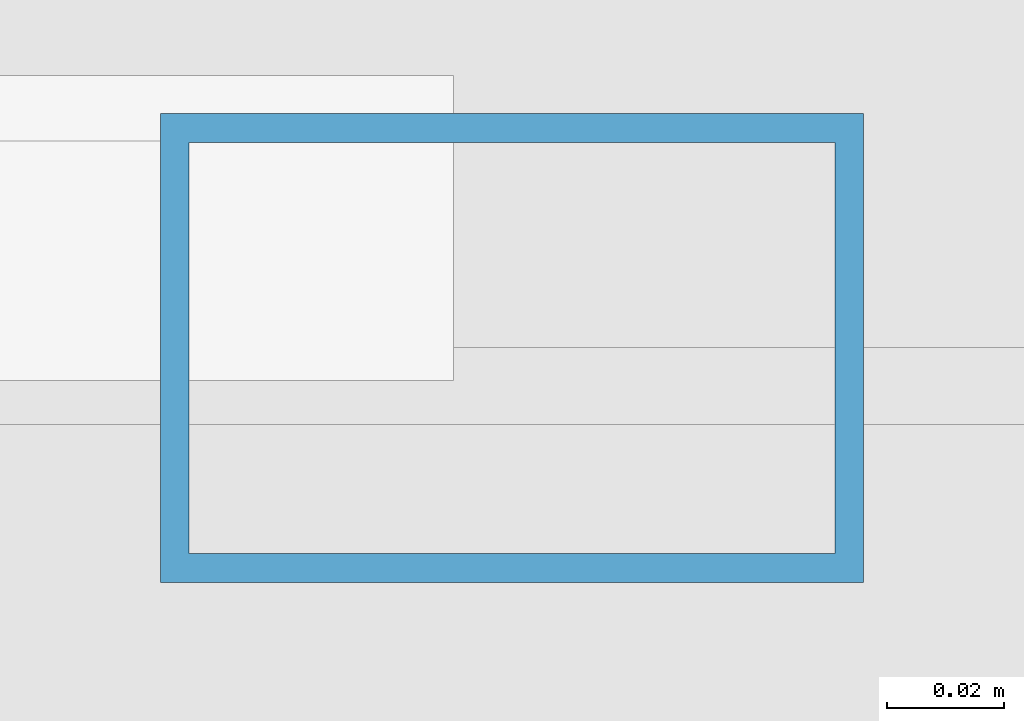
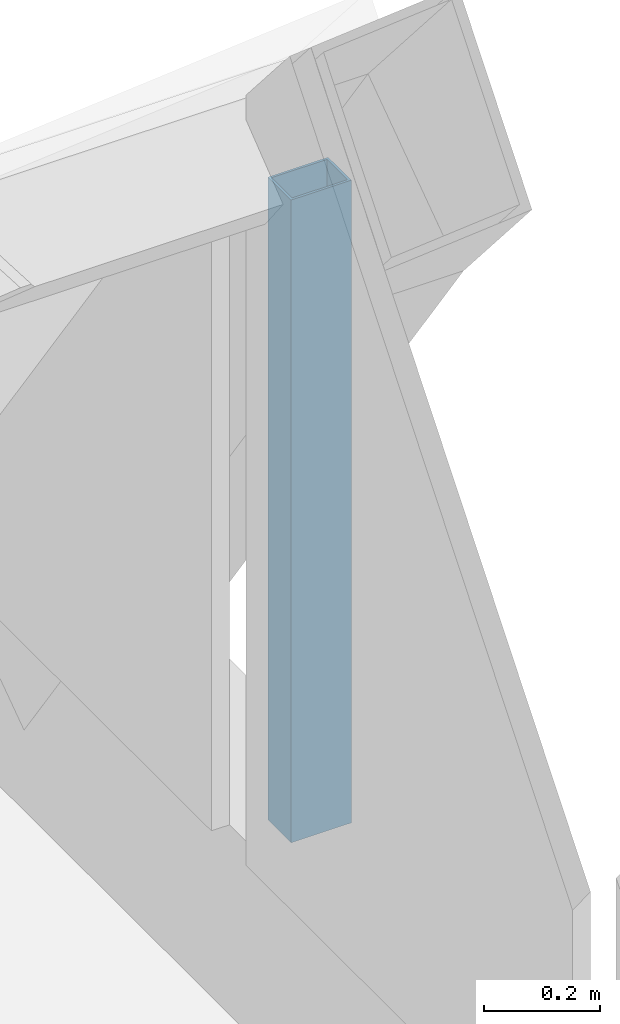
# One storey, part 37 of 109: 1 member.
"""IFC4 building model written with IfcOpenShell, lengths in metres."""

from ifc_helpers import new_model, si_unit, direction, frame, origin, origin_2d, place, context, subcontext, project, spatial, hollow_rectangle, extrude, material, material_profile, profile_set, type_object, element, save


model = new_model("IFC4")

# Units and contexts
model_context = context("Model", 3, precision=1e-05, world=origin(), true_north=direction((0.0, 1.0)))
body_context = subcontext(model_context, "Body", "Model", "MODEL_VIEW")
ifc_project = project(units=[si_unit("LENGTHUNIT", "METRE"), si_unit("AREAUNIT", "SQUARE_METRE"), si_unit("VOLUMEUNIT", "CUBIC_METRE"), si_unit("PLANEANGLEUNIT", "RADIAN"), si_unit("MASSUNIT", "GRAM", prefix="KILO")], contexts=[model_context])

# Site, building, storey
site_placement = place(None, origin())
site = spatial("IfcSite", under=ifc_project, at=site_placement, CompositionType="ELEMENT")
building_placement = place(site_placement, origin())
building = spatial("IfcBuilding", under=site, at=building_placement, Name="Lantern Court Research Institute", CompositionType="ELEMENT")
storey_placement = place(building_placement, frame((0.0, 0.0, 14.39990234375)))
storey = spatial("IfcBuildingStorey", under=building, at=storey_placement, Name="L03", CompositionType="ELEMENT", Elevation=14.39990234375)

# Member
ifc_material = material(Name="Structural steel S355", Category="steel")
ifc_material_profile = material_profile(ifc_material, hollow_rectangle(XDim=0.1201171875, YDim=0.080078125, WallThickness=0.0048828125, at=origin_2d()), Name="Gable post RHS 120 x 80 x 5")
ifc_profile_set = profile_set([ifc_material_profile], Name="Structural steel S355")
member_type = type_object("IfcMemberType", Name="Gable post RHS 120 x 80 x 5", PredefinedType="POST", material=ifc_profile_set)
member_placement = place(storey_placement, frame((79.199951171875, 55.003662109375, 0.400146484375), z_axis=(0.0, 0.0, 1.0), x_axis=(1.0, 0.0, 0.0)))
element("IfcMember", 1, at=member_placement, inside=storey, type_object=member_type, Name="Gable post", PredefinedType="POST", context=body_context, shape_type="SweptSolid", body=[
    extrude(hollow_rectangle(XDim=0.1201171875, YDim=0.080078125, WallThickness=0.0048828125, at=origin_2d()), origin(), (0.0, 0.0, 1.0), 1.354736328125),
])

save(model, "model.ifc")
